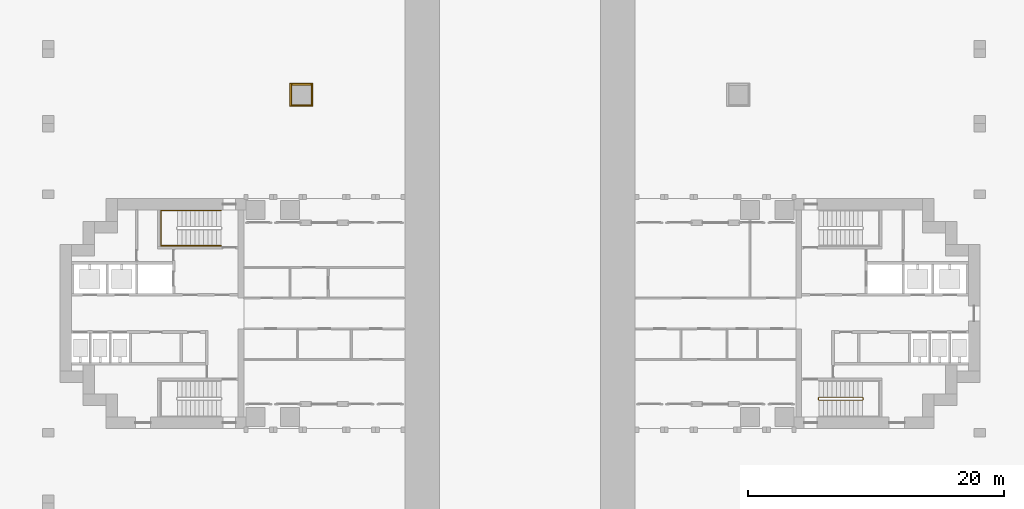
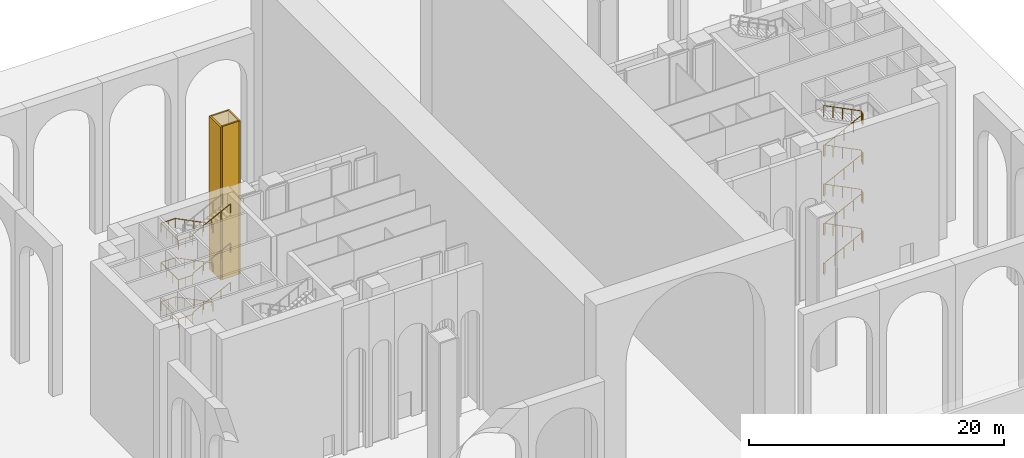
# One storey, part 14 of 18: 4 coverings, 4 railings.
"""IFC4 building model written with IfcOpenShell, lengths in metres."""

from ifc_helpers import new_model, si_unit, direction, frame, origin, origin_2d, place, context, subcontext, project, spatial, rectangle, extrude, material, layer, layer_set, type_object, element, save


model = new_model("IFC4")

# Units and contexts
model_context = context("Model", 3, precision=1e-05, world=origin(), true_north=direction((0.0, 1.0)))
body_context = subcontext(model_context, "Body", "Model", "MODEL_VIEW")
ifc_project = project(units=[si_unit("LENGTHUNIT", "METRE"), si_unit("AREAUNIT", "SQUARE_METRE"), si_unit("VOLUMEUNIT", "CUBIC_METRE"), si_unit("PLANEANGLEUNIT", "RADIAN"), si_unit("MASSUNIT", "GRAM", prefix="KILO")], contexts=[model_context])

# Site, building, storey
site_placement = place(None, origin())
site = spatial("IfcSite", under=ifc_project, at=site_placement, CompositionType="ELEMENT")
building_placement = place(site_placement, origin())
building = spatial("IfcBuilding", under=site, at=building_placement, Name="Perihelion Cross Residences", CompositionType="ELEMENT")
storey_placement = place(building_placement, origin())
storey = spatial("IfcBuildingStorey", under=building, at=storey_placement, Name="L00", CompositionType="ELEMENT", Elevation=0.0)

# Coverings
ifc_material_1 = material(Name="Bronze anodised aluminium", Category="aluminium")
ifc_layer = layer(ifc_material_1, 0.14990234375)
ifc_layer_set = layer_set([ifc_layer], Name="Bronze clad corner pier 150")
covering_type = type_object("IfcCoveringType", Name="Bronze clad corner pier 150", PredefinedType="CLADDING", material=ifc_layer_set)
covering_1_placement = place(storey_placement, frame((-17.925048828125, 17.10009765625, 0.06005859375), z_axis=(0.0, 0.0, 1.0), x_axis=(1.0, 0.0, 0.0)))
element("IfcCovering", 1, at=covering_1_placement, inside=storey, type_object=covering_type, Name="Cladding CP1 L00 casing east-west no. 2", PredefinedType="CLADDING", context=body_context, shape_type="SweptSolid", body=[
    extrude(rectangle(XDim=0.14990234375, YDim=1.800048828125, at=origin_2d()), origin(), (0.0, 0.0, 1.0), 14.639892578125),
])
covering_2_placement = place(storey_placement, frame((-17.10009765625, 17.925048828125, 0.06005859375), z_axis=(0.0, 0.0, 1.0), x_axis=(1.0, 0.0, 0.0)))
element("IfcCovering", 2, at=covering_2_placement, inside=storey, type_object=covering_type, Name="Cladding CP1 L00 casing north-south no. 2", PredefinedType="CLADDING", context=body_context, shape_type="SweptSolid", body=[
    extrude(rectangle(XDim=1.5, YDim=0.14990234375, at=origin_2d()), origin(), (0.0, 0.0, 1.0), 14.639892578125),
])
covering_3_placement = place(storey_placement, frame((-16.27490234375, 17.10009765625, 0.06005859375), z_axis=(0.0, 0.0, 1.0), x_axis=(1.0, 0.0, 0.0)))
element("IfcCovering", 3, at=covering_3_placement, inside=storey, type_object=covering_type, Name="Cladding CP1 L00 casing inner east-west no. 2", PredefinedType="CLADDING", context=body_context, shape_type="SweptSolid", body=[
    extrude(rectangle(XDim=0.14990234375, YDim=1.800048828125, at=origin_2d()), origin(), (0.0, 0.0, 1.0), 14.639892578125),
])
covering_4_placement = place(storey_placement, frame((-17.10009765625, 16.27490234375, 0.06005859375), z_axis=(0.0, 0.0, 1.0), x_axis=(1.0, 0.0, 0.0)))
element("IfcCovering", 4, at=covering_4_placement, inside=storey, type_object=covering_type, Name="Cladding CP1 L00 casing inner north-south no. 2", PredefinedType="CLADDING", context=body_context, shape_type="SweptSolid", body=[
    extrude(rectangle(XDim=1.5, YDim=0.14990234375, at=origin_2d()), origin(), (0.0, 0.0, 1.0), 14.639892578125),
])

# Railings
ifc_material_2 = material(Name="Stainless steel", Category="steel")
railing_type_1 = type_object("IfcRailingType", Name="Stair guard 1100", PredefinedType="GUARDRAIL", material=ifc_material_2)
railing_1_placement = place(storey_placement, frame((23.35009765625, -6.60009765625, 0.0)))
element("IfcRailing", 5, at=railing_1_placement, inside=storey, type_object=railing_type_1, Name="L00 ST-E2 stair guard 1", PredefinedType="GUARDRAIL", context=body_context, shape_type="SweptSolid", body=[
    extrude(rectangle(XDim=0.048095703125, YDim=0.048095703125, at=origin_2d()), frame((0.0, 0.0, 1.076171875), z_axis=(0.0, -1.0, 0.0), x_axis=(1.0, 0.0, 0.0)), (0.0, 0.0, 1.0), 0.14990234375),
    extrude(rectangle(XDim=0.048095703125, YDim=0.048095703125, at=origin_2d()), frame((0.0, -0.14990234375, 1.076171875), z_axis=(0.270004540015, -0.271328091682, 0.923839063385), x_axis=(0.708833529934, 0.705375805398, 0.0)), (0.0, 0.0, 1.0), 0.1845703125),
    extrude(rectangle(XDim=0.048095703125, YDim=0.048095703125, at=origin_2d()), frame((0.0498046875, -0.199951171875, 1.24658203125), z_axis=(0.893951692422, 0.0, 0.448163331406), x_axis=(0.0, 1.0, 0.0)), (0.0, 0.0, 1.0), 3.803466796875),
    extrude(rectangle(XDim=0.048095703125, YDim=0.048095703125, at=origin_2d()), frame((3.449951171875, -0.199951171875, 2.951171875), z_axis=(0.707106781187, 0.707106781187, 0.0), x_axis=(-0.707106781187, 0.707106781187, 0.0)), (0.0, 0.0, 1.0), 0.07080078125),
    extrude(rectangle(XDim=0.048095703125, YDim=0.048095703125, at=origin_2d()), frame((3.5, -0.14990234375, 2.951171875), z_axis=(0.0, 1.0, 0.0), x_axis=(-1.0, 0.0, 0.0)), (0.0, 0.0, 1.0), 0.14990234375),
    extrude(rectangle(XDim=0.048095703125, YDim=0.048095703125, at=origin_2d()), frame((3.5, 0.0, 2.951171875), z_axis=(-0.271230943075, 0.271230943075, 0.923508284228), x_axis=(-0.707106781187, -0.707106781187, 0.0)), (0.0, 0.0, 1.0), 0.1845703125),
    extrude(rectangle(XDim=0.048095703125, YDim=0.048095703125, at=origin_2d()), frame((3.449951171875, 0.050048828125, 3.12158203125), z_axis=(-0.893951692422, 0.0, 0.448163331406), x_axis=(0.0, -1.0, 0.0)), (0.0, 0.0, 1.0), 3.803466796875),
    extrude(rectangle(XDim=0.048095703125, YDim=0.048095703125, at=origin_2d()), frame((0.0498046875, 0.050048828125, 4.826171875), z_axis=(-0.241699205484, -0.970351222016, 0.0), x_axis=(0.970351222016, -0.241699205484, 0.0)), (0.0, 0.0, 1.0), 0.2060546875),
    extrude(rectangle(XDim=0.048095703125, YDim=0.048095703125, at=origin_2d()), frame((0.0, -0.14990234375, 4.826171875), z_axis=(0.0, 1.0, 0.0), x_axis=(-1.0, 0.0, 0.0)), (0.0, 0.0, 1.0), 0.14990234375),
    extrude(rectangle(XDim=0.048095703125, YDim=0.048095703125, at=origin_2d()), frame((0.0, 0.0, 4.826171875), z_axis=(0.186258189966, -0.747771850895, 0.637295179395), x_axis=(0.970351222016, 0.241699205484, 0.0)), (0.0, 0.0, 1.0), 0.267333984375),
    extrude(rectangle(XDim=0.048095703125, YDim=0.048095703125, at=origin_2d()), frame((0.0498046875, -0.199951171875, 4.99658203125), z_axis=(0.893951692422, 0.0, 0.448163331406), x_axis=(0.0, 1.0, 0.0)), (0.0, 0.0, 1.0), 3.803466796875),
    extrude(rectangle(XDim=0.048095703125, YDim=0.048095703125, at=origin_2d()), frame((3.449951171875, -0.199951171875, 6.701171875), z_axis=(0.707106781187, 0.707106781187, 0.0), x_axis=(-0.707106781187, 0.707106781187, 0.0)), (0.0, 0.0, 1.0), 0.07080078125),
    extrude(rectangle(XDim=0.048095703125, YDim=0.048095703125, at=origin_2d()), frame((3.5, -0.14990234375, 6.701171875), z_axis=(0.0, 1.0, 0.0), x_axis=(-1.0, 0.0, 0.0)), (0.0, 0.0, 1.0), 0.14990234375),
    extrude(rectangle(XDim=0.048095703125, YDim=0.048095703125, at=origin_2d()), frame((3.5, 0.0, 6.701171875), z_axis=(-0.271230943075, 0.271230943075, 0.923508284228), x_axis=(-0.707106781187, -0.707106781187, 0.0)), (0.0, 0.0, 1.0), 0.1845703125),
    extrude(rectangle(XDim=0.048095703125, YDim=0.048095703125, at=origin_2d()), frame((3.449951171875, 0.050048828125, 6.87158203125), z_axis=(-0.893951692422, 0.0, 0.448163331406), x_axis=(0.0, -1.0, 0.0)), (0.0, 0.0, 1.0), 3.803466796875),
    extrude(rectangle(XDim=0.048095703125, YDim=0.048095703125, at=origin_2d()), frame((0.0498046875, 0.050048828125, 8.576171875), z_axis=(-0.241699205484, -0.970351222016, 0.0), x_axis=(0.970351222016, -0.241699205484, 0.0)), (0.0, 0.0, 1.0), 0.2060546875),
    extrude(rectangle(XDim=0.048095703125, YDim=0.048095703125, at=origin_2d()), frame((0.0, -0.14990234375, 8.576171875), z_axis=(0.0, 1.0, 0.0), x_axis=(-1.0, 0.0, 0.0)), (0.0, 0.0, 1.0), 0.14990234375),
    extrude(rectangle(XDim=0.048095703125, YDim=0.048095703125, at=origin_2d()), frame((0.0, 0.0, 8.576171875), z_axis=(0.186258189966, -0.747771850895, 0.637295179395), x_axis=(0.970351222016, 0.241699205484, 0.0)), (0.0, 0.0, 1.0), 0.267333984375),
    extrude(rectangle(XDim=0.048095703125, YDim=0.048095703125, at=origin_2d()), frame((0.0498046875, -0.199951171875, 8.74658203125), z_axis=(0.893951692422, 0.0, 0.448163331406), x_axis=(0.0, 1.0, 0.0)), (0.0, 0.0, 1.0), 3.803466796875),
    extrude(rectangle(XDim=0.048095703125, YDim=0.048095703125, at=origin_2d()), frame((3.449951171875, -0.199951171875, 10.451171875), z_axis=(0.707106781187, 0.707106781187, 0.0), x_axis=(-0.707106781187, 0.707106781187, 0.0)), (0.0, 0.0, 1.0), 0.07080078125),
    extrude(rectangle(XDim=0.048095703125, YDim=0.048095703125, at=origin_2d()), frame((3.5, -0.14990234375, 10.451171875), z_axis=(0.0, 1.0, 0.0), x_axis=(-1.0, 0.0, 0.0)), (0.0, 0.0, 1.0), 0.14990234375),
    extrude(rectangle(XDim=0.048095703125, YDim=0.048095703125, at=origin_2d()), frame((3.5, 0.0, 10.451171875), z_axis=(-0.271230943075, 0.271230943075, 0.923508284228), x_axis=(-0.707106781187, -0.707106781187, 0.0)), (0.0, 0.0, 1.0), 0.1845703125),
    extrude(rectangle(XDim=0.048095703125, YDim=0.048095703125, at=origin_2d()), frame((3.449951171875, 0.050048828125, 10.62158203125), z_axis=(-0.893951692422, 0.0, 0.448163331406), x_axis=(0.0, -1.0, 0.0)), (0.0, 0.0, 1.0), 3.803466796875),
    extrude(rectangle(XDim=0.048095703125, YDim=0.048095703125, at=origin_2d()), frame((0.0498046875, 0.050048828125, 12.326171875), z_axis=(-0.241699205484, -0.970351222016, 0.0), x_axis=(0.970351222016, -0.241699205484, 0.0)), (0.0, 0.0, 1.0), 0.2060546875),
    extrude(rectangle(XDim=0.048095703125, YDim=0.048095703125, at=origin_2d()), frame((0.0, -0.14990234375, 12.326171875), z_axis=(0.0, 1.0, 0.0), x_axis=(-1.0, 0.0, 0.0)), (0.0, 0.0, 1.0), 0.14990234375),
    extrude(rectangle(XDim=0.048095703125, YDim=0.048095703125, at=origin_2d()), frame((0.0, 0.0, 12.326171875), z_axis=(0.186258189966, -0.747771850895, 0.637295179395), x_axis=(0.970351222016, 0.241699205484, 0.0)), (0.0, 0.0, 1.0), 0.267333984375),
    extrude(rectangle(XDim=0.048095703125, YDim=0.048095703125, at=origin_2d()), frame((0.0498046875, -0.199951171875, 12.49658203125), z_axis=(0.893951692422, 0.0, 0.448163331406), x_axis=(0.0, 1.0, 0.0)), (0.0, 0.0, 1.0), 3.803466796875),
    extrude(rectangle(XDim=0.048095703125, YDim=0.048095703125, at=origin_2d()), frame((3.449951171875, -0.199951171875, 14.201171875), z_axis=(0.707106781187, 0.707106781187, 0.0), x_axis=(-0.707106781187, 0.707106781187, 0.0)), (0.0, 0.0, 1.0), 0.07080078125),
    extrude(rectangle(XDim=0.048095703125, YDim=0.048095703125, at=origin_2d()), frame((3.5, -0.14990234375, 14.201171875), z_axis=(0.0, 1.0, 0.0), x_axis=(-1.0, 0.0, 0.0)), (0.0, 0.0, 1.0), 0.14990234375),
    extrude(rectangle(XDim=0.048095703125, YDim=0.048095703125, at=origin_2d()), frame((3.5, 0.0, 14.201171875), z_axis=(-0.271230943075, 0.271230943075, 0.923508284228), x_axis=(-0.707106781187, -0.707106781187, 0.0)), (0.0, 0.0, 1.0), 0.1845703125),
    extrude(rectangle(XDim=0.048095703125, YDim=0.048095703125, at=origin_2d()), frame((3.449951171875, 0.050048828125, 14.37158203125), z_axis=(-0.893951692422, 0.0, 0.448163331406), x_axis=(0.0, -1.0, 0.0)), (0.0, 0.0, 1.0), 3.803466796875),
    extrude(rectangle(XDim=0.0419921875, YDim=0.0419921875, at=origin_2d()), origin(), (0.0, 0.0, 1.0), 1.052001953125),
    extrude(rectangle(XDim=0.0419921875, YDim=0.0419921875, at=origin_2d()), frame((0.0, -0.14990234375, 0.0)), (0.0, 0.0, 1.0), 1.052001953125),
    extrude(rectangle(XDim=0.0419921875, YDim=0.0419921875, at=origin_2d()), frame((0.0498046875, -0.199951171875, 0.17041015625)), (0.0, 0.0, 1.0), 1.052001953125),
    extrude(rectangle(XDim=0.0419921875, YDim=0.0419921875, at=origin_2d()), frame((0.89990234375, -0.199951171875, 0.5966796875)), (0.0, 0.0, 1.0), 1.052001953125),
    extrude(rectangle(XDim=0.0419921875, YDim=0.0419921875, at=origin_2d()), frame((1.75, -0.199951171875, 1.022705078125)), (0.0, 0.0, 1.0), 1.052001953125),
    extrude(rectangle(XDim=0.0419921875, YDim=0.0419921875, at=origin_2d()), frame((2.599853515625, -0.199951171875, 1.44873046875)), (0.0, 0.0, 1.0), 1.052001953125),
    extrude(rectangle(XDim=0.0419921875, YDim=0.0419921875, at=origin_2d()), frame((3.449951171875, -0.199951171875, 1.875)), (0.0, 0.0, 1.0), 1.052001953125),
    extrude(rectangle(XDim=0.0419921875, YDim=0.0419921875, at=origin_2d()), frame((3.5, -0.14990234375, 1.875)), (0.0, 0.0, 1.0), 1.052001953125),
    extrude(rectangle(XDim=0.0419921875, YDim=0.0419921875, at=origin_2d()), frame((3.5, 0.0, 1.875)), (0.0, 0.0, 1.0), 1.052001953125),
    extrude(rectangle(XDim=0.0419921875, YDim=0.0419921875, at=origin_2d()), frame((3.449951171875, 0.050048828125, 2.04541015625)), (0.0, 0.0, 1.0), 1.052001953125),
    extrude(rectangle(XDim=0.0419921875, YDim=0.0419921875, at=origin_2d()), frame((2.599853515625, 0.050048828125, 2.4716796875)), (0.0, 0.0, 1.0), 1.052001953125),
    extrude(rectangle(XDim=0.0419921875, YDim=0.0419921875, at=origin_2d()), frame((1.75, 0.050048828125, 2.897705078125)), (0.0, 0.0, 1.0), 1.052001953125),
    extrude(rectangle(XDim=0.0419921875, YDim=0.0419921875, at=origin_2d()), frame((0.89990234375, 0.050048828125, 3.32373046875)), (0.0, 0.0, 1.0), 1.052001953125),
    extrude(rectangle(XDim=0.0419921875, YDim=0.0419921875, at=origin_2d()), frame((0.0498046875, 0.050048828125, 3.75)), (0.0, 0.0, 1.0), 1.052001953125),
    extrude(rectangle(XDim=0.0419921875, YDim=0.0419921875, at=origin_2d()), frame((0.0, -0.14990234375, 3.75)), (0.0, 0.0, 1.0), 1.052001953125),
    extrude(rectangle(XDim=0.0419921875, YDim=0.0419921875, at=origin_2d()), frame((0.0, 0.0, 3.75)), (0.0, 0.0, 1.0), 1.052001953125),
    extrude(rectangle(XDim=0.0419921875, YDim=0.0419921875, at=origin_2d()), frame((0.0498046875, -0.199951171875, 3.92041015625)), (0.0, 0.0, 1.0), 1.052001953125),
    extrude(rectangle(XDim=0.0419921875, YDim=0.0419921875, at=origin_2d()), frame((0.89990234375, -0.199951171875, 4.3466796875)), (0.0, 0.0, 1.0), 1.052001953125),
    extrude(rectangle(XDim=0.0419921875, YDim=0.0419921875, at=origin_2d()), frame((1.75, -0.199951171875, 4.772705078125)), (0.0, 0.0, 1.0), 1.052001953125),
    extrude(rectangle(XDim=0.0419921875, YDim=0.0419921875, at=origin_2d()), frame((2.599853515625, -0.199951171875, 5.19873046875)), (0.0, 0.0, 1.0), 1.052001953125),
    extrude(rectangle(XDim=0.0419921875, YDim=0.0419921875, at=origin_2d()), frame((3.449951171875, -0.199951171875, 5.625)), (0.0, 0.0, 1.0), 1.052001953125),
    extrude(rectangle(XDim=0.0419921875, YDim=0.0419921875, at=origin_2d()), frame((3.5, -0.14990234375, 5.625)), (0.0, 0.0, 1.0), 1.052001953125),
    extrude(rectangle(XDim=0.0419921875, YDim=0.0419921875, at=origin_2d()), frame((3.5, 0.0, 5.625)), (0.0, 0.0, 1.0), 1.052001953125),
    extrude(rectangle(XDim=0.0419921875, YDim=0.0419921875, at=origin_2d()), frame((3.449951171875, 0.050048828125, 5.79541015625)), (0.0, 0.0, 1.0), 1.052001953125),
    extrude(rectangle(XDim=0.0419921875, YDim=0.0419921875, at=origin_2d()), frame((2.599853515625, 0.050048828125, 6.2216796875)), (0.0, 0.0, 1.0), 1.052001953125),
    extrude(rectangle(XDim=0.0419921875, YDim=0.0419921875, at=origin_2d()), frame((1.75, 0.050048828125, 6.647705078125)), (0.0, 0.0, 1.0), 1.052001953125),
    extrude(rectangle(XDim=0.0419921875, YDim=0.0419921875, at=origin_2d()), frame((0.89990234375, 0.050048828125, 7.07373046875)), (0.0, 0.0, 1.0), 1.052001953125),
    extrude(rectangle(XDim=0.0419921875, YDim=0.0419921875, at=origin_2d()), frame((0.0498046875, 0.050048828125, 7.5)), (0.0, 0.0, 1.0), 1.052001953125),
    extrude(rectangle(XDim=0.0419921875, YDim=0.0419921875, at=origin_2d()), frame((0.0, -0.14990234375, 7.5)), (0.0, 0.0, 1.0), 1.052001953125),
    extrude(rectangle(XDim=0.0419921875, YDim=0.0419921875, at=origin_2d()), frame((0.0, 0.0, 7.5)), (0.0, 0.0, 1.0), 1.052001953125),
    extrude(rectangle(XDim=0.0419921875, YDim=0.0419921875, at=origin_2d()), frame((0.0498046875, -0.199951171875, 7.67041015625)), (0.0, 0.0, 1.0), 1.052001953125),
    extrude(rectangle(XDim=0.0419921875, YDim=0.0419921875, at=origin_2d()), frame((0.89990234375, -0.199951171875, 8.0966796875)), (0.0, 0.0, 1.0), 1.052001953125),
    extrude(rectangle(XDim=0.0419921875, YDim=0.0419921875, at=origin_2d()), frame((1.75, -0.199951171875, 8.522705078125)), (0.0, 0.0, 1.0), 1.052001953125),
    extrude(rectangle(XDim=0.0419921875, YDim=0.0419921875, at=origin_2d()), frame((2.599853515625, -0.199951171875, 8.94873046875)), (0.0, 0.0, 1.0), 1.052001953125),
    extrude(rectangle(XDim=0.0419921875, YDim=0.0419921875, at=origin_2d()), frame((3.449951171875, -0.199951171875, 9.375)), (0.0, 0.0, 1.0), 1.052001953125),
    extrude(rectangle(XDim=0.0419921875, YDim=0.0419921875, at=origin_2d()), frame((3.5, -0.14990234375, 9.375)), (0.0, 0.0, 1.0), 1.052001953125),
    extrude(rectangle(XDim=0.0419921875, YDim=0.0419921875, at=origin_2d()), frame((3.5, 0.0, 9.375)), (0.0, 0.0, 1.0), 1.052001953125),
    extrude(rectangle(XDim=0.0419921875, YDim=0.0419921875, at=origin_2d()), frame((3.449951171875, 0.050048828125, 9.54541015625)), (0.0, 0.0, 1.0), 1.052001953125),
    extrude(rectangle(XDim=0.0419921875, YDim=0.0419921875, at=origin_2d()), frame((2.599853515625, 0.050048828125, 9.9716796875)), (0.0, 0.0, 1.0), 1.052001953125),
    extrude(rectangle(XDim=0.0419921875, YDim=0.0419921875, at=origin_2d()), frame((1.75, 0.050048828125, 10.397705078125)), (0.0, 0.0, 1.0), 1.052001953125),
    extrude(rectangle(XDim=0.0419921875, YDim=0.0419921875, at=origin_2d()), frame((0.89990234375, 0.050048828125, 10.82373046875)), (0.0, 0.0, 1.0), 1.052001953125),
    extrude(rectangle(XDim=0.0419921875, YDim=0.0419921875, at=origin_2d()), frame((0.0498046875, 0.050048828125, 11.25)), (0.0, 0.0, 1.0), 1.052001953125),
    extrude(rectangle(XDim=0.0419921875, YDim=0.0419921875, at=origin_2d()), frame((0.0, -0.14990234375, 11.25)), (0.0, 0.0, 1.0), 1.052001953125),
    extrude(rectangle(XDim=0.0419921875, YDim=0.0419921875, at=origin_2d()), frame((0.0, 0.0, 11.25)), (0.0, 0.0, 1.0), 1.052001953125),
    extrude(rectangle(XDim=0.0419921875, YDim=0.0419921875, at=origin_2d()), frame((0.0498046875, -0.199951171875, 11.42041015625)), (0.0, 0.0, 1.0), 1.052001953125),
    extrude(rectangle(XDim=0.0419921875, YDim=0.0419921875, at=origin_2d()), frame((0.89990234375, -0.199951171875, 11.8466796875)), (0.0, 0.0, 1.0), 1.052001953125),
    extrude(rectangle(XDim=0.0419921875, YDim=0.0419921875, at=origin_2d()), frame((1.75, -0.199951171875, 12.272705078125)), (0.0, 0.0, 1.0), 1.052001953125),
    extrude(rectangle(XDim=0.0419921875, YDim=0.0419921875, at=origin_2d()), frame((2.599853515625, -0.199951171875, 12.69873046875)), (0.0, 0.0, 1.0), 1.052001953125),
    extrude(rectangle(XDim=0.0419921875, YDim=0.0419921875, at=origin_2d()), frame((3.449951171875, -0.199951171875, 13.125)), (0.0, 0.0, 1.0), 1.052001953125),
    extrude(rectangle(XDim=0.0419921875, YDim=0.0419921875, at=origin_2d()), frame((3.5, -0.14990234375, 13.125)), (0.0, 0.0, 1.0), 1.052001953125),
    extrude(rectangle(XDim=0.0419921875, YDim=0.0419921875, at=origin_2d()), frame((3.5, 0.0, 13.125)), (0.0, 0.0, 1.0), 1.052001953125),
    extrude(rectangle(XDim=0.0419921875, YDim=0.0419921875, at=origin_2d()), frame((3.449951171875, 0.050048828125, 13.29541015625)), (0.0, 0.0, 1.0), 1.052001953125),
    extrude(rectangle(XDim=0.0419921875, YDim=0.0419921875, at=origin_2d()), frame((2.599853515625, 0.050048828125, 13.7216796875)), (0.0, 0.0, 1.0), 1.052001953125),
    extrude(rectangle(XDim=0.0419921875, YDim=0.0419921875, at=origin_2d()), frame((1.75, 0.050048828125, 14.147705078125)), (0.0, 0.0, 1.0), 1.052001953125),
    extrude(rectangle(XDim=0.0419921875, YDim=0.0419921875, at=origin_2d()), frame((0.89990234375, 0.050048828125, 14.57373046875)), (0.0, 0.0, 1.0), 1.052001953125),
    extrude(rectangle(XDim=0.0419921875, YDim=0.0419921875, at=origin_2d()), frame((0.0498046875, 0.050048828125, 15.0)), (0.0, 0.0, 1.0), 1.052001953125),
])
ifc_material_3 = material(Name="Stainless steel", Category="steel")
railing_type_2 = type_object("IfcRailingType", Name="Stair handrail 900", PredefinedType="HANDRAIL", material=ifc_material_3)
railing_2_placement = place(storey_placement, frame((-23.39990234375, 8.050048828125, 3.92041015625)))
element("IfcRailing", 6, at=railing_2_placement, inside=storey, type_object=railing_type_2, Name="L00 ST-W1 stair handrail 2", PredefinedType="HANDRAIL", context=body_context, shape_type="SweptSolid", body=[
    extrude(rectangle(XDim=0.048095703125, YDim=0.048095703125, at=origin_2d()), frame((0.0, 0.0, 0.8759765625), z_axis=(-0.893951692422, 0.0, 0.448163331406), x_axis=(0.0, -1.0, 0.0)), (0.0, 0.0, 1.0), 3.803466796875),
    extrude(rectangle(XDim=0.048095703125, YDim=0.048095703125, at=origin_2d()), frame((-3.400146484375, 0.0, 2.58056640625), z_axis=(-1.0, 0.0, 0.0), x_axis=(0.0, -1.0, 0.0)), (0.0, 0.0, 1.0), 1.300048828125),
    extrude(rectangle(XDim=0.048095703125, YDim=0.048095703125, at=origin_2d()), frame((-4.7001953125, 0.0, 2.58056640625), z_axis=(0.0, -1.0, 0.0), x_axis=(1.0, 0.0, 0.0)), (0.0, 0.0, 1.0), 2.75),
    extrude(rectangle(XDim=0.048095703125, YDim=0.048095703125, at=origin_2d()), frame((-4.7001953125, -2.75, 2.58056640625), z_axis=(1.0, 0.0, 0.0), x_axis=(0.0, 1.0, 0.0)), (0.0, 0.0, 1.0), 1.300048828125),
    extrude(rectangle(XDim=0.048095703125, YDim=0.048095703125, at=origin_2d()), frame((-3.400146484375, -2.75, 2.58056640625), z_axis=(0.0, 0.0, 1.0), x_axis=(1.0, 0.0, 0.0)), (0.0, 0.0, 1.0), 0.17041015625),
    extrude(rectangle(XDim=0.048095703125, YDim=0.048095703125, at=origin_2d()), frame((-3.400146484375, -2.75, 2.7509765625), z_axis=(0.893951692422, 0.0, 0.448163331406), x_axis=(0.0, 1.0, 0.0)), (0.0, 0.0, 1.0), 3.803466796875),
    extrude(rectangle(XDim=0.0419921875, YDim=0.0419921875, at=origin_2d()), origin(), (0.0, 0.0, 1.0), 0.851806640625),
    extrude(rectangle(XDim=0.0419921875, YDim=0.0419921875, at=origin_2d()), frame((-0.85009765625, 0.0, 0.42626953125)), (0.0, 0.0, 1.0), 0.851806640625),
    extrude(rectangle(XDim=0.0419921875, YDim=0.0419921875, at=origin_2d()), frame((-1.7001953125, 0.0, 0.852294921875)), (0.0, 0.0, 1.0), 0.851806640625),
    extrude(rectangle(XDim=0.0419921875, YDim=0.0419921875, at=origin_2d()), frame((-2.550048828125, 0.0, 1.2783203125)), (0.0, 0.0, 1.0), 0.851806640625),
    extrude(rectangle(XDim=0.0419921875, YDim=0.0419921875, at=origin_2d()), frame((-3.400146484375, 0.0, 1.70458984375)), (0.0, 0.0, 1.0), 0.851806640625),
    extrude(rectangle(XDim=0.0419921875, YDim=0.0419921875, at=origin_2d()), frame((-4.05029296875, 0.0, 1.70458984375)), (0.0, 0.0, 1.0), 0.851806640625),
    extrude(rectangle(XDim=0.0419921875, YDim=0.0419921875, at=origin_2d()), frame((-4.7001953125, 0.0, 1.70458984375)), (0.0, 0.0, 1.0), 0.851806640625),
    extrude(rectangle(XDim=0.0419921875, YDim=0.0419921875, at=origin_2d()), frame((-4.7001953125, -0.916748046875, 1.70458984375)), (0.0, 0.0, 1.0), 0.851806640625),
    extrude(rectangle(XDim=0.0419921875, YDim=0.0419921875, at=origin_2d()), frame((-4.7001953125, -1.833251953125, 1.70458984375)), (0.0, 0.0, 1.0), 0.851806640625),
    extrude(rectangle(XDim=0.0419921875, YDim=0.0419921875, at=origin_2d()), frame((-4.7001953125, -2.75, 1.70458984375)), (0.0, 0.0, 1.0), 0.851806640625),
    extrude(rectangle(XDim=0.0419921875, YDim=0.0419921875, at=origin_2d()), frame((-4.05029296875, -2.75, 1.70458984375)), (0.0, 0.0, 1.0), 0.851806640625),
    extrude(rectangle(XDim=0.0419921875, YDim=0.0419921875, at=origin_2d()), frame((-3.400146484375, -2.75, 1.70458984375)), (0.0, 0.0, 1.0), 0.851806640625),
    extrude(rectangle(XDim=0.0419921875, YDim=0.0419921875, at=origin_2d()), frame((-3.400146484375, -2.75, 1.875)), (0.0, 0.0, 1.0), 0.851806640625),
    extrude(rectangle(XDim=0.0419921875, YDim=0.0419921875, at=origin_2d()), frame((-2.550048828125, -2.75, 2.30126953125)), (0.0, 0.0, 1.0), 0.851806640625),
    extrude(rectangle(XDim=0.0419921875, YDim=0.0419921875, at=origin_2d()), frame((-1.7001953125, -2.75, 2.727294921875)), (0.0, 0.0, 1.0), 0.851806640625),
    extrude(rectangle(XDim=0.0419921875, YDim=0.0419921875, at=origin_2d()), frame((-0.85009765625, -2.75, 3.1533203125)), (0.0, 0.0, 1.0), 0.851806640625),
    extrude(rectangle(XDim=0.0419921875, YDim=0.0419921875, at=origin_2d()), frame((0.0, -2.75, 3.57958984375)), (0.0, 0.0, 1.0), 0.851806640625),
])
railing_3_placement = place(storey_placement, frame((-23.39990234375, 8.050048828125, 7.67041015625)))
element("IfcRailing", 7, at=railing_3_placement, inside=storey, type_object=railing_type_2, Name="L00 ST-W1 stair handrail 3", PredefinedType="HANDRAIL", context=body_context, shape_type="SweptSolid", body=[
    extrude(rectangle(XDim=0.048095703125, YDim=0.048095703125, at=origin_2d()), frame((0.0, 0.0, 0.8759765625), z_axis=(-0.893951692422, 0.0, 0.448163331406), x_axis=(0.0, -1.0, 0.0)), (0.0, 0.0, 1.0), 3.803466796875),
    extrude(rectangle(XDim=0.048095703125, YDim=0.048095703125, at=origin_2d()), frame((-3.400146484375, 0.0, 2.58056640625), z_axis=(-1.0, 0.0, 0.0), x_axis=(0.0, -1.0, 0.0)), (0.0, 0.0, 1.0), 1.300048828125),
    extrude(rectangle(XDim=0.048095703125, YDim=0.048095703125, at=origin_2d()), frame((-4.7001953125, 0.0, 2.58056640625), z_axis=(0.0, -1.0, 0.0), x_axis=(1.0, 0.0, 0.0)), (0.0, 0.0, 1.0), 2.75),
    extrude(rectangle(XDim=0.048095703125, YDim=0.048095703125, at=origin_2d()), frame((-4.7001953125, -2.75, 2.58056640625), z_axis=(1.0, 0.0, 0.0), x_axis=(0.0, 1.0, 0.0)), (0.0, 0.0, 1.0), 1.300048828125),
    extrude(rectangle(XDim=0.048095703125, YDim=0.048095703125, at=origin_2d()), frame((-3.400146484375, -2.75, 2.58056640625), z_axis=(0.0, 0.0, 1.0), x_axis=(1.0, 0.0, 0.0)), (0.0, 0.0, 1.0), 0.17041015625),
    extrude(rectangle(XDim=0.048095703125, YDim=0.048095703125, at=origin_2d()), frame((-3.400146484375, -2.75, 2.7509765625), z_axis=(0.893951692422, 0.0, 0.448163331406), x_axis=(0.0, 1.0, 0.0)), (0.0, 0.0, 1.0), 3.803466796875),
    extrude(rectangle(XDim=0.0419921875, YDim=0.0419921875, at=origin_2d()), origin(), (0.0, 0.0, 1.0), 0.851806640625),
    extrude(rectangle(XDim=0.0419921875, YDim=0.0419921875, at=origin_2d()), frame((-0.85009765625, 0.0, 0.42626953125)), (0.0, 0.0, 1.0), 0.851806640625),
    extrude(rectangle(XDim=0.0419921875, YDim=0.0419921875, at=origin_2d()), frame((-1.7001953125, 0.0, 0.852294921875)), (0.0, 0.0, 1.0), 0.851806640625),
    extrude(rectangle(XDim=0.0419921875, YDim=0.0419921875, at=origin_2d()), frame((-2.550048828125, 0.0, 1.2783203125)), (0.0, 0.0, 1.0), 0.851806640625),
    extrude(rectangle(XDim=0.0419921875, YDim=0.0419921875, at=origin_2d()), frame((-3.400146484375, 0.0, 1.70458984375)), (0.0, 0.0, 1.0), 0.851806640625),
    extrude(rectangle(XDim=0.0419921875, YDim=0.0419921875, at=origin_2d()), frame((-4.05029296875, 0.0, 1.70458984375)), (0.0, 0.0, 1.0), 0.851806640625),
    extrude(rectangle(XDim=0.0419921875, YDim=0.0419921875, at=origin_2d()), frame((-4.7001953125, 0.0, 1.70458984375)), (0.0, 0.0, 1.0), 0.851806640625),
    extrude(rectangle(XDim=0.0419921875, YDim=0.0419921875, at=origin_2d()), frame((-4.7001953125, -0.916748046875, 1.70458984375)), (0.0, 0.0, 1.0), 0.851806640625),
    extrude(rectangle(XDim=0.0419921875, YDim=0.0419921875, at=origin_2d()), frame((-4.7001953125, -1.833251953125, 1.70458984375)), (0.0, 0.0, 1.0), 0.851806640625),
    extrude(rectangle(XDim=0.0419921875, YDim=0.0419921875, at=origin_2d()), frame((-4.7001953125, -2.75, 1.70458984375)), (0.0, 0.0, 1.0), 0.851806640625),
    extrude(rectangle(XDim=0.0419921875, YDim=0.0419921875, at=origin_2d()), frame((-4.05029296875, -2.75, 1.70458984375)), (0.0, 0.0, 1.0), 0.851806640625),
    extrude(rectangle(XDim=0.0419921875, YDim=0.0419921875, at=origin_2d()), frame((-3.400146484375, -2.75, 1.70458984375)), (0.0, 0.0, 1.0), 0.851806640625),
    extrude(rectangle(XDim=0.0419921875, YDim=0.0419921875, at=origin_2d()), frame((-3.400146484375, -2.75, 1.875)), (0.0, 0.0, 1.0), 0.851806640625),
    extrude(rectangle(XDim=0.0419921875, YDim=0.0419921875, at=origin_2d()), frame((-2.550048828125, -2.75, 2.30126953125)), (0.0, 0.0, 1.0), 0.851806640625),
    extrude(rectangle(XDim=0.0419921875, YDim=0.0419921875, at=origin_2d()), frame((-1.7001953125, -2.75, 2.727294921875)), (0.0, 0.0, 1.0), 0.851806640625),
    extrude(rectangle(XDim=0.0419921875, YDim=0.0419921875, at=origin_2d()), frame((-0.85009765625, -2.75, 3.1533203125)), (0.0, 0.0, 1.0), 0.851806640625),
    extrude(rectangle(XDim=0.0419921875, YDim=0.0419921875, at=origin_2d()), frame((0.0, -2.75, 3.57958984375)), (0.0, 0.0, 1.0), 0.851806640625),
])
railing_4_placement = place(storey_placement, frame((-23.39990234375, 8.050048828125, 11.42041015625)))
element("IfcRailing", 8, at=railing_4_placement, inside=storey, type_object=railing_type_2, Name="L00 ST-W1 stair handrail 4", PredefinedType="HANDRAIL", context=body_context, shape_type="SweptSolid", body=[
    extrude(rectangle(XDim=0.048095703125, YDim=0.048095703125, at=origin_2d()), frame((0.0, 0.0, 0.8759765625), z_axis=(-0.893951692422, 0.0, 0.448163331406), x_axis=(0.0, -1.0, 0.0)), (0.0, 0.0, 1.0), 3.803466796875),
    extrude(rectangle(XDim=0.048095703125, YDim=0.048095703125, at=origin_2d()), frame((-3.400146484375, 0.0, 2.58056640625), z_axis=(-1.0, 0.0, 0.0), x_axis=(0.0, -1.0, 0.0)), (0.0, 0.0, 1.0), 1.300048828125),
    extrude(rectangle(XDim=0.048095703125, YDim=0.048095703125, at=origin_2d()), frame((-4.7001953125, 0.0, 2.58056640625), z_axis=(0.0, -1.0, 0.0), x_axis=(1.0, 0.0, 0.0)), (0.0, 0.0, 1.0), 2.75),
    extrude(rectangle(XDim=0.048095703125, YDim=0.048095703125, at=origin_2d()), frame((-4.7001953125, -2.75, 2.58056640625), z_axis=(1.0, 0.0, 0.0), x_axis=(0.0, 1.0, 0.0)), (0.0, 0.0, 1.0), 1.300048828125),
    extrude(rectangle(XDim=0.048095703125, YDim=0.048095703125, at=origin_2d()), frame((-3.400146484375, -2.75, 2.58056640625), z_axis=(0.0, 0.0, 1.0), x_axis=(1.0, 0.0, 0.0)), (0.0, 0.0, 1.0), 0.17041015625),
    extrude(rectangle(XDim=0.048095703125, YDim=0.048095703125, at=origin_2d()), frame((-3.400146484375, -2.75, 2.7509765625), z_axis=(0.893951692422, 0.0, 0.448163331406), x_axis=(0.0, 1.0, 0.0)), (0.0, 0.0, 1.0), 3.803466796875),
    extrude(rectangle(XDim=0.0419921875, YDim=0.0419921875, at=origin_2d()), origin(), (0.0, 0.0, 1.0), 0.851806640625),
    extrude(rectangle(XDim=0.0419921875, YDim=0.0419921875, at=origin_2d()), frame((-0.85009765625, 0.0, 0.42626953125)), (0.0, 0.0, 1.0), 0.851806640625),
    extrude(rectangle(XDim=0.0419921875, YDim=0.0419921875, at=origin_2d()), frame((-1.7001953125, 0.0, 0.852294921875)), (0.0, 0.0, 1.0), 0.851806640625),
    extrude(rectangle(XDim=0.0419921875, YDim=0.0419921875, at=origin_2d()), frame((-2.550048828125, 0.0, 1.2783203125)), (0.0, 0.0, 1.0), 0.851806640625),
    extrude(rectangle(XDim=0.0419921875, YDim=0.0419921875, at=origin_2d()), frame((-3.400146484375, 0.0, 1.70458984375)), (0.0, 0.0, 1.0), 0.851806640625),
    extrude(rectangle(XDim=0.0419921875, YDim=0.0419921875, at=origin_2d()), frame((-4.05029296875, 0.0, 1.70458984375)), (0.0, 0.0, 1.0), 0.851806640625),
    extrude(rectangle(XDim=0.0419921875, YDim=0.0419921875, at=origin_2d()), frame((-4.7001953125, 0.0, 1.70458984375)), (0.0, 0.0, 1.0), 0.851806640625),
    extrude(rectangle(XDim=0.0419921875, YDim=0.0419921875, at=origin_2d()), frame((-4.7001953125, -0.916748046875, 1.70458984375)), (0.0, 0.0, 1.0), 0.851806640625),
    extrude(rectangle(XDim=0.0419921875, YDim=0.0419921875, at=origin_2d()), frame((-4.7001953125, -1.833251953125, 1.70458984375)), (0.0, 0.0, 1.0), 0.851806640625),
    extrude(rectangle(XDim=0.0419921875, YDim=0.0419921875, at=origin_2d()), frame((-4.7001953125, -2.75, 1.70458984375)), (0.0, 0.0, 1.0), 0.851806640625),
    extrude(rectangle(XDim=0.0419921875, YDim=0.0419921875, at=origin_2d()), frame((-4.05029296875, -2.75, 1.70458984375)), (0.0, 0.0, 1.0), 0.851806640625),
    extrude(rectangle(XDim=0.0419921875, YDim=0.0419921875, at=origin_2d()), frame((-3.400146484375, -2.75, 1.70458984375)), (0.0, 0.0, 1.0), 0.851806640625),
    extrude(rectangle(XDim=0.0419921875, YDim=0.0419921875, at=origin_2d()), frame((-3.400146484375, -2.75, 1.875)), (0.0, 0.0, 1.0), 0.851806640625),
    extrude(rectangle(XDim=0.0419921875, YDim=0.0419921875, at=origin_2d()), frame((-2.550048828125, -2.75, 2.30126953125)), (0.0, 0.0, 1.0), 0.851806640625),
    extrude(rectangle(XDim=0.0419921875, YDim=0.0419921875, at=origin_2d()), frame((-1.7001953125, -2.75, 2.727294921875)), (0.0, 0.0, 1.0), 0.851806640625),
    extrude(rectangle(XDim=0.0419921875, YDim=0.0419921875, at=origin_2d()), frame((-0.85009765625, -2.75, 3.1533203125)), (0.0, 0.0, 1.0), 0.851806640625),
    extrude(rectangle(XDim=0.0419921875, YDim=0.0419921875, at=origin_2d()), frame((0.0, -2.75, 3.57958984375)), (0.0, 0.0, 1.0), 0.851806640625),
])

save(model, "model.ifc")
